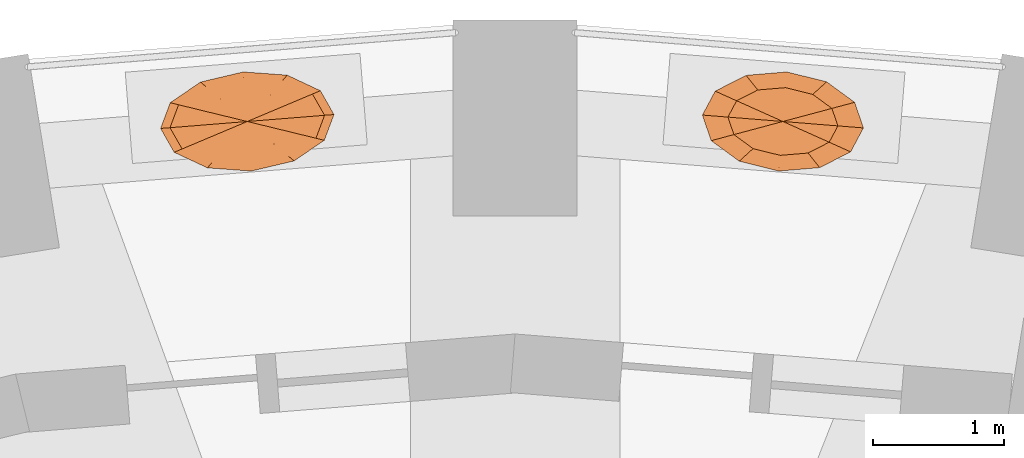
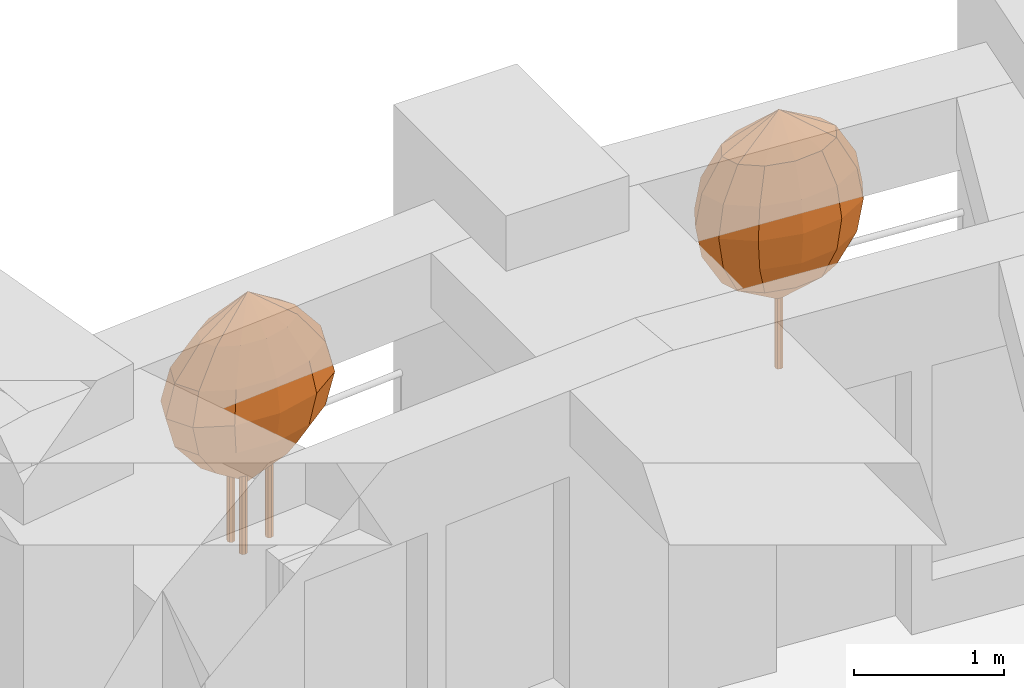
# One storey, part 11 of 11: 2 geographic elements.
"""IFC4 building model written with IfcOpenShell, lengths in metres."""

from ifc_helpers import new_model, si_unit, direction, frame, origin, place, context, subcontext, project, spatial, faceted_brep, material, constituent, constituent_set, type_object, element, save


model = new_model("IFC4")

# Units and contexts
model_context = context("Model", 3, precision=1e-05, world=origin(), true_north=direction((0.0, 1.0)))
body_context = subcontext(model_context, "Body", "Model", "MODEL_VIEW")
ifc_project = project(units=[si_unit("LENGTHUNIT", "METRE"), si_unit("AREAUNIT", "SQUARE_METRE"), si_unit("VOLUMEUNIT", "CUBIC_METRE"), si_unit("PLANEANGLEUNIT", "RADIAN"), si_unit("MASSUNIT", "GRAM", prefix="KILO")], contexts=[model_context])

# Site, building, storey
site_placement = place(None, origin())
site = spatial("IfcSite", under=ifc_project, at=site_placement, CompositionType="ELEMENT")
building_placement = place(site_placement, origin())
building = spatial("IfcBuilding", under=site, at=building_placement, Name="Taillehof Tower", CompositionType="ELEMENT")
storey_placement = place(building_placement, frame((0.0, 0.0, 181.39990234375)))
storey = spatial("IfcBuildingStorey", under=building, at=storey_placement, Name="L51", CompositionType="ELEMENT", Elevation=181.39990234375)

# Geographic elements
ifc_material_1 = material(Name="Tree bark", Category="timber")
ifc_constituent_1 = constituent(ifc_material_1, Name="Trunk", Category="timber")
ifc_material_2 = material(Name="Tree foliage")
ifc_constituent_2 = constituent(ifc_material_2, Name="Crown")
ifc_constituent_set_1 = constituent_set(constituents=[ifc_constituent_1, ifc_constituent_2], Name="Tree TR1 Columnar hornbeam")
geographic_element_type_1 = type_object("IfcGeographicElementType", Name="Tree TR1 Columnar hornbeam", PredefinedType="USERDEFINED", material=ifc_constituent_set_1)
geographic_element_1_placement = place(storey_placement, frame((2.147216796875, 21.524169921875, 0.75)))
element("IfcGeographicElement", 1, at=geographic_element_1_placement, inside=storey, type_object=geographic_element_type_1, Name="Tree TR1 Columnar hornbeam", ObjectType="TREE", PredefinedType="USERDEFINED", context=body_context, shape_type="Brep", body=[
    faceted_brep([(0.030029296875, 0.0, 0.0), (0.021240234375, 0.021240234375, 0.0), (0.021240234375, 0.021240234375, 1.092529296875), (0.030029296875, 0.0, 1.092529296875), (0.0, 0.030029296875, 0.0), (0.0, 0.030029296875, 1.092529296875), (-0.021240234375, 0.021240234375, 0.0), (-0.021240234375, 0.021240234375, 1.092529296875), (-0.030029296875, 0.0, 0.0), (-0.030029296875, 0.0, 1.092529296875), (-0.021240234375, -0.021240234375, 0.0), (-0.021240234375, -0.021240234375, 1.092529296875), (0.0, -0.030029296875, 0.0), (0.0, -0.030029296875, 1.092529296875), (0.021240234375, -0.021240234375, 0.0), (0.021240234375, -0.021240234375, 1.092529296875)], [[[0, 1, 2, 3]], [[1, 4, 5, 2]], [[4, 6, 7, 5]], [[6, 8, 9, 7]], [[8, 10, 11, 9]], [[10, 12, 13, 11]], [[12, 14, 15, 13]], [[14, 0, 3, 15]], [[14, 12, 10, 8, 6, 4, 1, 0]], [[3, 2, 5, 7, 9, 11, 13, 15]]]),
    faceted_brep([(0.0, 0.0, 0.550048828125), (-0.37451171875, -0.10009765625, 0.808349609375), (-0.42041015625, 0.03369140625, 0.808349609375), (-0.22802734375, -0.207275390625, 0.808349609375), (-0.020751953125, -0.2587890625, 0.808349609375), (0.1923828125, -0.240966796875, 0.808349609375), (0.353759765625, -0.158447265625, 0.808349609375), (0.42041015625, -0.03369140625, 0.808349609375), (0.37451171875, 0.10009765625, 0.808349609375), (0.22802734375, 0.207275390625, 0.808349609375), (0.020751953125, 0.2587890625, 0.808349609375), (-0.1923828125, 0.240966796875, 0.808349609375), (-0.353759765625, 0.158447265625, 0.808349609375), (-0.506591796875, -0.135498046875, 1.066650390625), (-0.568603515625, 0.04541015625, 1.066650390625), (-0.30859375, -0.2802734375, 1.066650390625), (-0.028076171875, -0.35009765625, 1.066650390625), (0.260009765625, -0.325927734375, 1.066650390625), (0.478515625, -0.21435546875, 1.066650390625), (0.568603515625, -0.04541015625, 1.066650390625), (0.506591796875, 0.135498046875, 1.066650390625), (0.30859375, 0.2802734375, 1.066650390625), (0.028076171875, 0.35009765625, 1.066650390625), (-0.260009765625, 0.325927734375, 1.066650390625), (-0.478515625, 0.21435546875, 1.066650390625), (-0.54833984375, -0.146728515625, 1.324951171875), (-0.615478515625, 0.04931640625, 1.324951171875), (-0.333984375, -0.303466796875, 1.324951171875), (-0.0302734375, -0.37890625, 1.324951171875), (0.281494140625, -0.352783203125, 1.324951171875), (0.517822265625, -0.232177734375, 1.324951171875), (0.615478515625, -0.04931640625, 1.324951171875), (0.54833984375, 0.146728515625, 1.324951171875), (0.333984375, 0.303466796875, 1.324951171875), (0.0302734375, 0.37890625, 1.324951171875), (-0.281494140625, 0.352783203125, 1.324951171875), (-0.517822265625, 0.232177734375, 1.324951171875), (-0.506591796875, -0.135498046875, 1.583251953125), (-0.568603515625, 0.04541015625, 1.583251953125), (-0.30859375, -0.2802734375, 1.583251953125), (-0.028076171875, -0.35009765625, 1.583251953125), (0.260009765625, -0.325927734375, 1.583251953125), (0.478515625, -0.21435546875, 1.583251953125), (0.568603515625, -0.04541015625, 1.583251953125), (0.506591796875, 0.135498046875, 1.583251953125), (0.30859375, 0.2802734375, 1.583251953125), (0.028076171875, 0.35009765625, 1.583251953125), (-0.260009765625, 0.325927734375, 1.583251953125), (-0.478515625, 0.21435546875, 1.583251953125), (-0.37451171875, -0.10009765625, 1.841552734375), (-0.42041015625, 0.03369140625, 1.841552734375), (-0.22802734375, -0.207275390625, 1.841552734375), (-0.020751953125, -0.2587890625, 1.841552734375), (0.1923828125, -0.240966796875, 1.841552734375), (0.353759765625, -0.158447265625, 1.841552734375), (0.42041015625, -0.03369140625, 1.841552734375), (0.37451171875, 0.10009765625, 1.841552734375), (0.22802734375, 0.207275390625, 1.841552734375), (0.020751953125, 0.2587890625, 1.841552734375), (-0.1923828125, 0.240966796875, 1.841552734375), (-0.353759765625, 0.158447265625, 1.841552734375), (0.0, 0.0, 2.10009765625)], [[[0, 1, 2]], [[0, 3, 1]], [[0, 4, 3]], [[0, 5, 4]], [[0, 6, 5]], [[0, 7, 6]], [[0, 8, 7]], [[0, 9, 8]], [[0, 10, 9]], [[0, 11, 10]], [[0, 12, 11]], [[0, 2, 12]], [[2, 1, 13, 14]], [[1, 3, 15, 13]], [[3, 4, 16, 15]], [[4, 5, 17, 16]], [[5, 6, 18, 17]], [[6, 7, 19, 18]], [[7, 8, 20, 19]], [[8, 9, 21, 20]], [[9, 10, 22, 21]], [[10, 11, 23, 22]], [[11, 12, 24, 23]], [[12, 2, 14, 24]], [[14, 13, 25, 26]], [[13, 15, 27, 25]], [[15, 16, 28, 27]], [[16, 17, 29, 28]], [[17, 18, 30, 29]], [[18, 19, 31, 30]], [[19, 20, 32, 31]], [[20, 21, 33, 32]], [[21, 22, 34, 33]], [[22, 23, 35, 34]], [[23, 24, 36, 35]], [[24, 14, 26, 36]], [[26, 25, 37, 38]], [[25, 27, 39, 37]], [[27, 28, 40, 39]], [[28, 29, 41, 40]], [[29, 30, 42, 41]], [[30, 31, 43, 42]], [[31, 32, 44, 43]], [[32, 33, 45, 44]], [[33, 34, 46, 45]], [[34, 35, 47, 46]], [[35, 36, 48, 47]], [[36, 26, 38, 48]], [[38, 37, 49, 50]], [[37, 39, 51, 49]], [[39, 40, 52, 51]], [[40, 41, 53, 52]], [[41, 42, 54, 53]], [[42, 43, 55, 54]], [[43, 44, 56, 55]], [[44, 45, 57, 56]], [[45, 46, 58, 57]], [[46, 47, 59, 58]], [[47, 48, 60, 59]], [[48, 38, 50, 60]], [[50, 49, 61]], [[49, 51, 61]], [[51, 52, 61]], [[52, 53, 61]], [[53, 54, 61]], [[54, 55, 61]], [[55, 56, 61]], [[56, 57, 61]], [[57, 58, 61]], [[58, 59, 61]], [[59, 60, 61]], [[60, 50, 61]]]),
])
ifc_material_3 = material(Name="Tree bark", Category="timber")
ifc_constituent_3 = constituent(ifc_material_3, Name="Trunk", Category="timber")
ifc_material_4 = material(Name="Tree foliage")
ifc_constituent_4 = constituent(ifc_material_4, Name="Crown")
ifc_constituent_set_2 = constituent_set(constituents=[ifc_constituent_3, ifc_constituent_4], Name="Tree TR3 Multi-stem serviceberry")
geographic_element_type_2 = type_object("IfcGeographicElementType", Name="Tree TR3 Multi-stem serviceberry", PredefinedType="USERDEFINED", material=ifc_constituent_set_2)
geographic_element_2_placement = place(storey_placement, frame((-1.947265625, 21.524169921875, 0.75)))
element("IfcGeographicElement", 2, at=geographic_element_2_placement, inside=storey, type_object=geographic_element_type_2, Name="Tree TR3 Multi-stem serviceberry", ObjectType="TREE", PredefinedType="USERDEFINED", context=body_context, shape_type="Brep", body=[
    faceted_brep([(0.195068359375, 0.0, 0.0), (0.186767578125, 0.0205078125, 0.0), (0.186767578125, 0.0205078125, 1.04248046875), (0.195068359375, 0.0, 1.04248046875), (0.166259765625, 0.02880859375, 0.0), (0.166259765625, 0.02880859375, 1.04248046875), (0.145751953125, 0.0205078125, 0.0), (0.145751953125, 0.0205078125, 1.04248046875), (0.137451171875, 0.0, 0.0), (0.137451171875, 0.0, 1.04248046875), (0.145751953125, -0.0205078125, 0.0), (0.145751953125, -0.0205078125, 1.04248046875), (0.166259765625, -0.02880859375, 0.0), (0.166259765625, -0.02880859375, 1.04248046875), (0.186767578125, -0.0205078125, 0.0), (0.186767578125, -0.0205078125, 1.04248046875)], [[[0, 1, 2, 3]], [[1, 4, 5, 2]], [[4, 6, 7, 5]], [[6, 8, 9, 7]], [[8, 10, 11, 9]], [[10, 12, 13, 11]], [[12, 14, 15, 13]], [[14, 0, 3, 15]], [[14, 12, 10, 8, 6, 4, 1, 0]], [[3, 2, 5, 7, 9, 11, 13, 15]]]),
    faceted_brep([(-0.05419921875, 0.082275390625, 0.0), (-0.062744140625, 0.102783203125, 0.0), (-0.062744140625, 0.102783203125, 1.04248046875), (-0.05419921875, 0.082275390625, 1.04248046875), (-0.0830078125, 0.111083984375, 0.0), (-0.0830078125, 0.111083984375, 1.04248046875), (-0.103515625, 0.102783203125, 0.0), (-0.103515625, 0.102783203125, 1.04248046875), (-0.112060546875, 0.082275390625, 0.0), (-0.112060546875, 0.082275390625, 1.04248046875), (-0.103515625, 0.061767578125, 0.0), (-0.103515625, 0.061767578125, 1.04248046875), (-0.0830078125, 0.053466796875, 0.0), (-0.0830078125, 0.053466796875, 1.04248046875), (-0.062744140625, 0.061767578125, 0.0), (-0.062744140625, 0.061767578125, 1.04248046875)], [[[0, 1, 2, 3]], [[1, 4, 5, 2]], [[4, 6, 7, 5]], [[6, 8, 9, 7]], [[8, 10, 11, 9]], [[10, 12, 13, 11]], [[12, 14, 15, 13]], [[14, 0, 3, 15]], [[14, 12, 10, 8, 6, 4, 1, 0]], [[3, 2, 5, 7, 9, 11, 13, 15]]]),
    faceted_brep([(-0.05419921875, -0.082275390625, 0.0), (-0.062744140625, -0.061767578125, 0.0), (-0.062744140625, -0.061767578125, 1.04248046875), (-0.05419921875, -0.082275390625, 1.04248046875), (-0.0830078125, -0.053466796875, 0.0), (-0.0830078125, -0.053466796875, 1.04248046875), (-0.103515625, -0.061767578125, 0.0), (-0.103515625, -0.061767578125, 1.04248046875), (-0.112060546875, -0.082275390625, 0.0), (-0.112060546875, -0.082275390625, 1.04248046875), (-0.103515625, -0.102783203125, 0.0), (-0.103515625, -0.102783203125, 1.04248046875), (-0.0830078125, -0.111083984375, 0.0), (-0.0830078125, -0.111083984375, 1.04248046875), (-0.062744140625, -0.102783203125, 0.0), (-0.062744140625, -0.102783203125, 1.04248046875)], [[[0, 1, 2, 3]], [[1, 4, 5, 2]], [[4, 6, 7, 5]], [[6, 8, 9, 7]], [[8, 10, 11, 9]], [[10, 12, 13, 11]], [[12, 14, 15, 13]], [[14, 0, 3, 15]], [[14, 12, 10, 8, 6, 4, 1, 0]], [[3, 2, 5, 7, 9, 11, 13, 15]]]),
    faceted_brep([(0.0, 0.0, 0.5), (-0.321044921875, -0.13525390625, 0.75830078125), (-0.380615234375, -0.030517578125, 0.75830078125), (-0.17529296875, -0.20361328125, 0.75830078125), (0.017333984375, -0.217529296875, 0.75830078125), (0.205322265625, -0.173095703125, 0.75830078125), (0.33837890625, -0.082275390625, 0.75830078125), (0.380615234375, 0.030517578125, 0.75830078125), (0.321044921875, 0.13525390625, 0.75830078125), (0.17529296875, 0.20361328125, 0.75830078125), (-0.017333984375, 0.217529296875, 0.75830078125), (-0.205322265625, 0.173095703125, 0.75830078125), (-0.33837890625, 0.082275390625, 0.75830078125), (-0.498046875, -0.209716796875, 1.0166015625), (-0.5908203125, -0.04736328125, 1.0166015625), (-0.27197265625, -0.31591796875, 1.0166015625), (0.027099609375, -0.337646484375, 1.0166015625), (0.31884765625, -0.268798828125, 1.0166015625), (0.525146484375, -0.1279296875, 1.0166015625), (0.5908203125, 0.04736328125, 1.0166015625), (0.498046875, 0.209716796875, 1.0166015625), (0.27197265625, 0.31591796875, 1.0166015625), (-0.027099609375, 0.337646484375, 1.0166015625), (-0.31884765625, 0.268798828125, 1.0166015625), (-0.525146484375, 0.1279296875, 1.0166015625), (-0.558837890625, -0.2353515625, 1.27490234375), (-0.662841796875, -0.052978515625, 1.27490234375), (-0.30517578125, -0.3544921875, 1.27490234375), (0.0302734375, -0.37890625, 1.27490234375), (0.357666015625, -0.301513671875, 1.27490234375), (0.589111328125, -0.1435546875, 1.27490234375), (0.662841796875, 0.052978515625, 1.27490234375), (0.558837890625, 0.2353515625, 1.27490234375), (0.30517578125, 0.3544921875, 1.27490234375), (-0.0302734375, 0.37890625, 1.27490234375), (-0.357666015625, 0.301513671875, 1.27490234375), (-0.589111328125, 0.1435546875, 1.27490234375), (-0.498046875, -0.209716796875, 1.533447265625), (-0.5908203125, -0.04736328125, 1.533447265625), (-0.27197265625, -0.31591796875, 1.533447265625), (0.027099609375, -0.337646484375, 1.533447265625), (0.31884765625, -0.268798828125, 1.533447265625), (0.525146484375, -0.1279296875, 1.533447265625), (0.5908203125, 0.04736328125, 1.533447265625), (0.498046875, 0.209716796875, 1.533447265625), (0.27197265625, 0.31591796875, 1.533447265625), (-0.027099609375, 0.337646484375, 1.533447265625), (-0.31884765625, 0.268798828125, 1.533447265625), (-0.525146484375, 0.1279296875, 1.533447265625), (-0.321044921875, -0.13525390625, 1.791748046875), (-0.380615234375, -0.030517578125, 1.791748046875), (-0.17529296875, -0.20361328125, 1.791748046875), (0.017333984375, -0.217529296875, 1.791748046875), (0.205322265625, -0.173095703125, 1.791748046875), (0.33837890625, -0.082275390625, 1.791748046875), (0.380615234375, 0.030517578125, 1.791748046875), (0.321044921875, 0.13525390625, 1.791748046875), (0.17529296875, 0.20361328125, 1.791748046875), (-0.017333984375, 0.217529296875, 1.791748046875), (-0.205322265625, 0.173095703125, 1.791748046875), (-0.33837890625, 0.082275390625, 1.791748046875), (0.0, 0.0, 2.050048828125)], [[[0, 1, 2]], [[0, 3, 1]], [[0, 4, 3]], [[0, 5, 4]], [[0, 6, 5]], [[0, 7, 6]], [[0, 8, 7]], [[0, 9, 8]], [[0, 10, 9]], [[0, 11, 10]], [[0, 12, 11]], [[0, 2, 12]], [[2, 1, 13, 14]], [[1, 3, 15, 13]], [[3, 4, 16, 15]], [[4, 5, 17, 16]], [[5, 6, 18, 17]], [[6, 7, 19, 18]], [[7, 8, 20, 19]], [[8, 9, 21, 20]], [[9, 10, 22, 21]], [[10, 11, 23, 22]], [[11, 12, 24, 23]], [[12, 2, 14, 24]], [[14, 13, 25, 26]], [[13, 15, 27, 25]], [[15, 16, 28, 27]], [[16, 17, 29, 28]], [[17, 18, 30, 29]], [[18, 19, 31, 30]], [[19, 20, 32, 31]], [[20, 21, 33, 32]], [[21, 22, 34, 33]], [[22, 23, 35, 34]], [[23, 24, 36, 35]], [[24, 14, 26, 36]], [[26, 25, 37, 38]], [[25, 27, 39, 37]], [[27, 28, 40, 39]], [[28, 29, 41, 40]], [[29, 30, 42, 41]], [[30, 31, 43, 42]], [[31, 32, 44, 43]], [[32, 33, 45, 44]], [[33, 34, 46, 45]], [[34, 35, 47, 46]], [[35, 36, 48, 47]], [[36, 26, 38, 48]], [[38, 37, 49, 50]], [[37, 39, 51, 49]], [[39, 40, 52, 51]], [[40, 41, 53, 52]], [[41, 42, 54, 53]], [[42, 43, 55, 54]], [[43, 44, 56, 55]], [[44, 45, 57, 56]], [[45, 46, 58, 57]], [[46, 47, 59, 58]], [[47, 48, 60, 59]], [[48, 38, 50, 60]], [[50, 49, 61]], [[49, 51, 61]], [[51, 52, 61]], [[52, 53, 61]], [[53, 54, 61]], [[54, 55, 61]], [[55, 56, 61]], [[56, 57, 61]], [[57, 58, 61]], [[58, 59, 61]], [[59, 60, 61]], [[60, 50, 61]]]),
])

save(model, "model.ifc")
